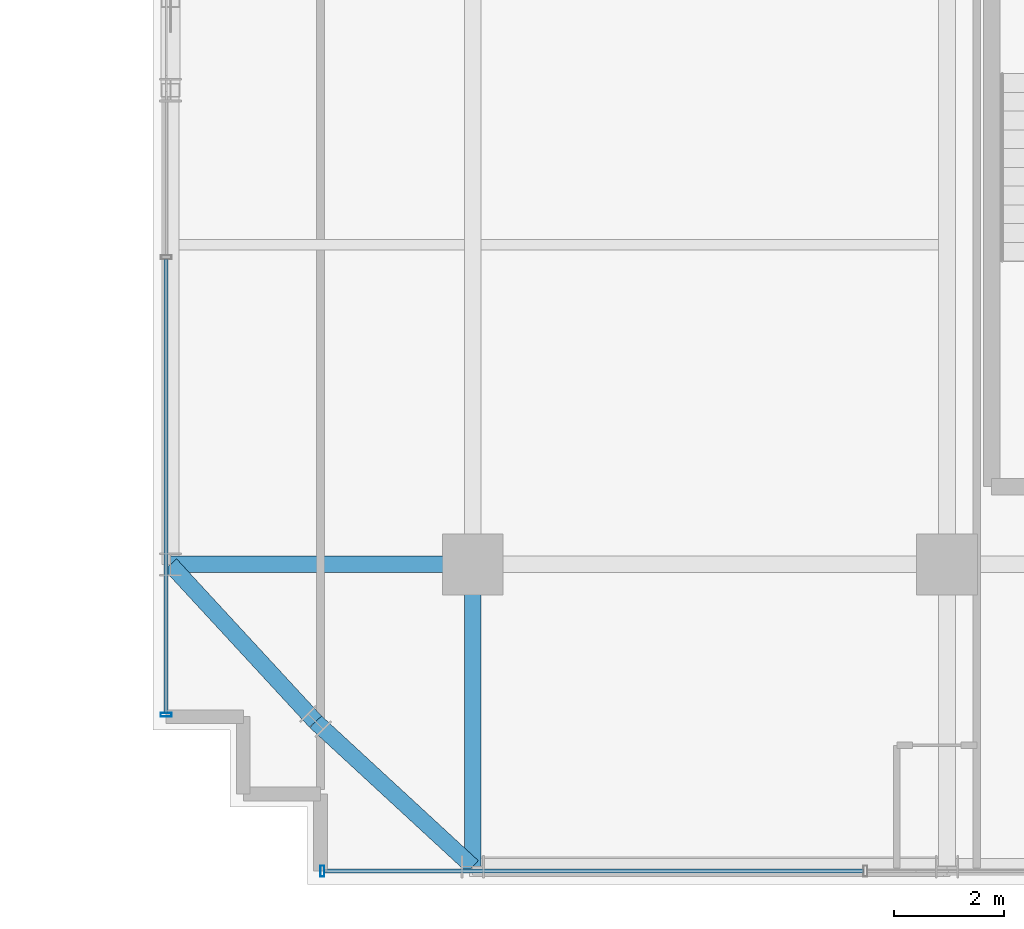
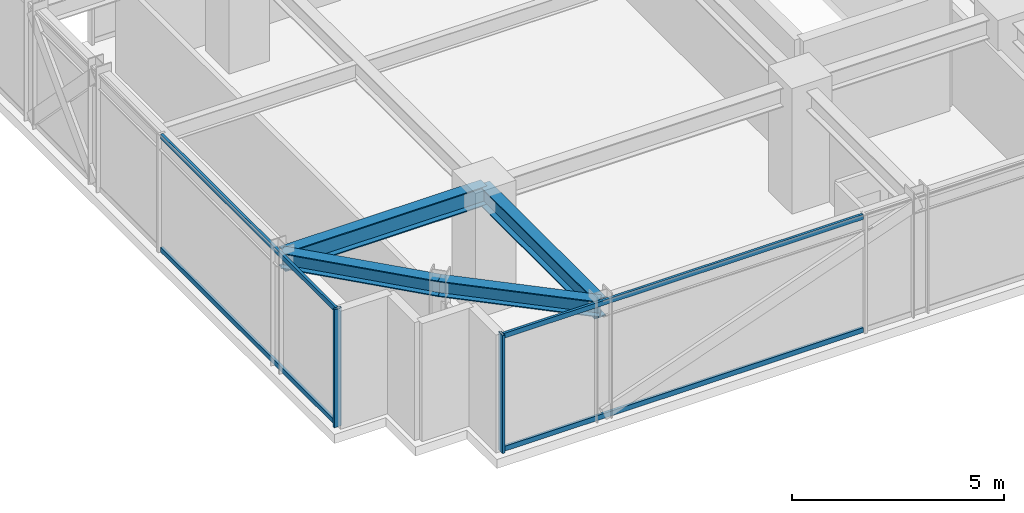
# One storey, part 2 of 37: 6 members, 4 beams, 2 elements without a shape of their own.
"""IFC4 building model written with IfcOpenShell, lengths in metres."""

from ifc_helpers import new_model, si_unit, direction, frame, origin, origin_2d, place, context, subcontext, project, spatial, hollow_rectangle, i_section, extrude, source, transform, mapped, material, material_profile, profile_set, type_object, element, aggregate, save


model = new_model("IFC4")

# Units and contexts
model_context = context("Model", 3, precision=1e-05, world=origin(), true_north=direction((0.0, 1.0)))
body_context = subcontext(model_context, "Body", "Model", "MODEL_VIEW")
ifc_project = project(units=[si_unit("LENGTHUNIT", "METRE"), si_unit("AREAUNIT", "SQUARE_METRE"), si_unit("VOLUMEUNIT", "CUBIC_METRE"), si_unit("PLANEANGLEUNIT", "RADIAN"), si_unit("MASSUNIT", "GRAM", prefix="KILO")], contexts=[model_context])

# Site, building, storey
site_placement = place(None, origin())
site = spatial("IfcSite", under=ifc_project, at=site_placement, CompositionType="ELEMENT")
building_placement = place(site_placement, origin())
building = spatial("IfcBuilding", under=site, at=building_placement, Name="Nahalor Promenade Grand Hotel", CompositionType="ELEMENT")
storey_placement = place(building_placement, frame((0.0, 0.0, 167.25)))
storey = spatial("IfcBuildingStorey", under=building, at=storey_placement, Name="L42", CompositionType="ELEMENT", Elevation=167.25)

# Beams
ifc_material_1 = material(Name="Steel S355JR", Category="steel")
ifc_material_profile_1 = material_profile(ifc_material_1, i_section(OverallWidth=0.3, OverallDepth=0.55, WebThickness=0.015, FlangeThickness=0.029, at=origin_2d()), Name="HEB 550")
ifc_profile_set_1 = profile_set([ifc_material_profile_1], Name="Steel S355JR")
beam_type_1 = type_object("IfcBeamType", Name="Beam-Girder-HEB550", PredefinedType="BEAM", material=ifc_profile_set_1)
shared_shape_1 = source(origin(), body_context, "Body", "SweptSolid", [
    extrude(i_section(OverallWidth=0.3, OverallDepth=0.55, WebThickness=0.015, FlangeThickness=0.029, at=origin_2d()), origin(), (0.0, 0.0, 1.0), 5.47998046875),
])
for number, where, z_axis, x_axis, name in (
    (1, (-22.47998046875, -17.0, 3.114990234375), (1.0, 0.0, 0.0), (0.0, 1.0, 0.0), "BM-L42-GX-0-0"),
    (2, (-17.0, -22.47998046875, 3.114990234375), (0.0, 1.0, 0.0), (-1.0, 0.0, 0.0), "BM-L42-GY-0-0"),
):
    element("IfcBeam", number, at=place(storey_placement, frame(where, z_axis=z_axis, x_axis=x_axis)), inside=storey, type_object=beam_type_1, Name=name, PredefinedType="BEAM", context=body_context, shape_type="MappedRepresentation", body=[
        mapped(shared_shape_1, transform((0.0, 0.0, 0.0), scale=1.0)),
    ])
ifc_material_profile_2 = material_profile(ifc_material_1, i_section(OverallWidth=0.3, OverallDepth=0.45, WebThickness=0.014, FlangeThickness=0.026, at=origin_2d()), Name="HEB 450")
ifc_profile_set_2 = profile_set([ifc_material_profile_2], Name="Steel S355JR")
beam_type_2 = type_object("IfcBeamType", Name="Beam-Spandrel-HEB450", PredefinedType="SPANDREL", material=ifc_profile_set_2)
shared_shape_2 = source(origin(), body_context, "Body", "SweptSolid", [
    extrude(i_section(OverallWidth=0.3, OverallDepth=0.45, WebThickness=0.014, FlangeThickness=0.026, at=origin_2d()), origin(), (0.0, 0.0, 1.0), 3.878173828125),
])
for number, where, z_axis, x_axis, name in (
    (3, (-17.0, -22.47998046875, 3.1650390625), (-0.73492893846, 0.678144125843, 0.0), (-0.678144125843, -0.73492893846, 0.0), "BM-L42-SPC-SW-1"),
    (4, (-19.85009765625, -19.85009765625, 3.1650390625), (-0.678144125843, 0.73492893846, 0.0), (-0.73492893846, -0.678144125843, 0.0), "BM-L42-SPC-SW-2"),
):
    element("IfcBeam", number, at=place(storey_placement, frame(where, z_axis=z_axis, x_axis=x_axis)), inside=storey, type_object=beam_type_2, Name=name, PredefinedType="SPANDREL", context=body_context, shape_type="MappedRepresentation", body=[
        mapped(shared_shape_2, transform((0.0, 0.0, 0.0), scale=1.0)),
    ])

# Curtain wall, members
ifc_material_2 = material(Name="Anodised Bronze Aluminium EN AW-6063 T6", Category="aluminium")
curtain_wall_type = type_object("IfcCurtainWallType", Name="CW3 Elliptical-Void Collar Unitised Curtain Wall", PredefinedType="USERDEFINED", material=ifc_material_2)
curtain_wall_1_placement = place(storey_placement, origin())
curtain_wall_1 = element("IfcCurtainWall", 5, at=curtain_wall_1_placement, inside=storey, type_object=curtain_wall_type, Name="L42 Curtain Wall CW-L42-S-1", ObjectType="UNITISED_CURTAIN_WALL", PredefinedType="USERDEFINED")
ifc_material_profile_3 = material_profile(ifc_material_2, hollow_rectangle(XDim=0.07, YDim=0.14, WallThickness=0.004, at=origin_2d()), Name="CWT 70x140x4")
ifc_profile_set_3 = profile_set([ifc_material_profile_3], Name="Anodised Bronze Aluminium EN AW-6063 T6")
member_type_1 = type_object("IfcMemberType", Name="CWT3 Void Collar Transom 70x140", PredefinedType="USERDEFINED", material=ifc_profile_set_3)
shared_shape_3 = source(origin(), body_context, "Body", "SweptSolid", [
    extrude(hollow_rectangle(XDim=0.07, YDim=0.14, WallThickness=0.004, at=origin_2d()), origin(), (0.0, 0.0, 1.0), 9.77490234375),
])
member_1_placement = place(storey_placement, frame((-19.68994140625, -22.56005859375, 0.070068359375), z_axis=(1.0, 0.0, 0.0), x_axis=(0.0, 1.0, 0.0)))
member_1 = element("IfcMember", 6, at=member_1_placement, type_object=member_type_1, Name="CW-L42-S-1 Transom 0-0", ObjectType="TRANSOM", PredefinedType="USERDEFINED", context=body_context, shape_type="MappedRepresentation", body=[
    mapped(shared_shape_3, transform((0.0, 0.0, 0.0), scale=1.0)),
])
member_2_placement = place(storey_placement, frame((-19.68994140625, -22.56005859375, 3.320068359375), z_axis=(1.0, 0.0, 0.0), x_axis=(0.0, 1.0, 0.0)))
member_2 = element("IfcMember", 7, at=member_2_placement, type_object=member_type_1, Name="CW-L42-S-1 Transom 0-1", ObjectType="TRANSOM", PredefinedType="USERDEFINED", context=body_context, shape_type="MappedRepresentation", body=[
    mapped(shared_shape_3, transform((0.0, 0.0, 0.0), scale=1.0)),
])
ifc_material_profile_4 = material_profile(ifc_material_2, hollow_rectangle(XDim=0.07, YDim=0.2, WallThickness=0.005, at=origin_2d()), Name="CWM 70x200x5")
ifc_profile_set_4 = profile_set([ifc_material_profile_4], Name="Anodised Bronze Aluminium EN AW-6063 T6")
member_type_2 = type_object("IfcMemberType", Name="CWM3 Void Collar Mullion 70x200", PredefinedType="MULLION", material=ifc_profile_set_4)
shared_shape_4 = source(origin(), body_context, "Body", "SweptSolid", [
    extrude(hollow_rectangle(XDim=0.07, YDim=0.2, WallThickness=0.005, at=origin_2d()), origin(), (0.0, 0.0, 1.0), 3.389892578125),
])
member_3_placement = place(storey_placement, frame((-19.72509765625, -22.56005859375, 0.0), z_axis=(0.0, 0.0, 1.0), x_axis=(1.0, 0.0, 0.0)))
member_3 = element("IfcMember", 8, at=member_3_placement, type_object=member_type_2, Name="CW-L42-S-1 Mullion 0", PredefinedType="MULLION", context=body_context, shape_type="MappedRepresentation", body=[
    mapped(shared_shape_4, transform((0.0, 0.0, 0.0), scale=1.0)),
])
aggregate(curtain_wall_1, [member_3, member_1, member_2])

curtain_wall_2_placement = place(storey_placement, origin())
curtain_wall_2 = element("IfcCurtainWall", 9, at=curtain_wall_2_placement, inside=storey, type_object=curtain_wall_type, Name="L42 Curtain Wall CW-L42-W-1", ObjectType="UNITISED_CURTAIN_WALL", PredefinedType="USERDEFINED")
member_4_placement = place(storey_placement, frame((-22.56005859375, -19.72509765625, 0.0), z_axis=(0.0, 0.0, 1.0), x_axis=(0.0, 1.0, 0.0)))
member_4 = element("IfcMember", 10, at=member_4_placement, type_object=member_type_2, Name="CW-L42-W-1 Mullion 0", PredefinedType="MULLION", context=body_context, shape_type="MappedRepresentation", body=[
    mapped(shared_shape_4, transform((0.0, 0.0, 0.0), scale=1.0)),
])
shared_shape_5 = source(origin(), body_context, "Body", "SweptSolid", [
    extrude(hollow_rectangle(XDim=0.07, YDim=0.14, WallThickness=0.004, at=origin_2d()), origin(), (0.0, 0.0, 1.0), 8.224853515625),
])
member_5_placement = place(storey_placement, frame((-22.56005859375, -19.68994140625, 0.070068359375), z_axis=(0.0, 1.0, 0.0), x_axis=(-1.0, 0.0, 0.0)))
member_5 = element("IfcMember", 11, at=member_5_placement, type_object=member_type_1, Name="CW-L42-W-1 Transom 0-0", ObjectType="TRANSOM", PredefinedType="USERDEFINED", context=body_context, shape_type="MappedRepresentation", body=[
    mapped(shared_shape_5, transform((0.0, 0.0, 0.0), scale=1.0)),
])
member_6_placement = place(storey_placement, frame((-22.56005859375, -19.68994140625, 3.320068359375), z_axis=(0.0, 1.0, 0.0), x_axis=(-1.0, 0.0, 0.0)))
member_6 = element("IfcMember", 12, at=member_6_placement, type_object=member_type_1, Name="CW-L42-W-1 Transom 0-1", ObjectType="TRANSOM", PredefinedType="USERDEFINED", context=body_context, shape_type="MappedRepresentation", body=[
    mapped(shared_shape_5, transform((0.0, 0.0, 0.0), scale=1.0)),
])
aggregate(curtain_wall_2, [member_4, member_5, member_6])

save(model, "model.ifc")
